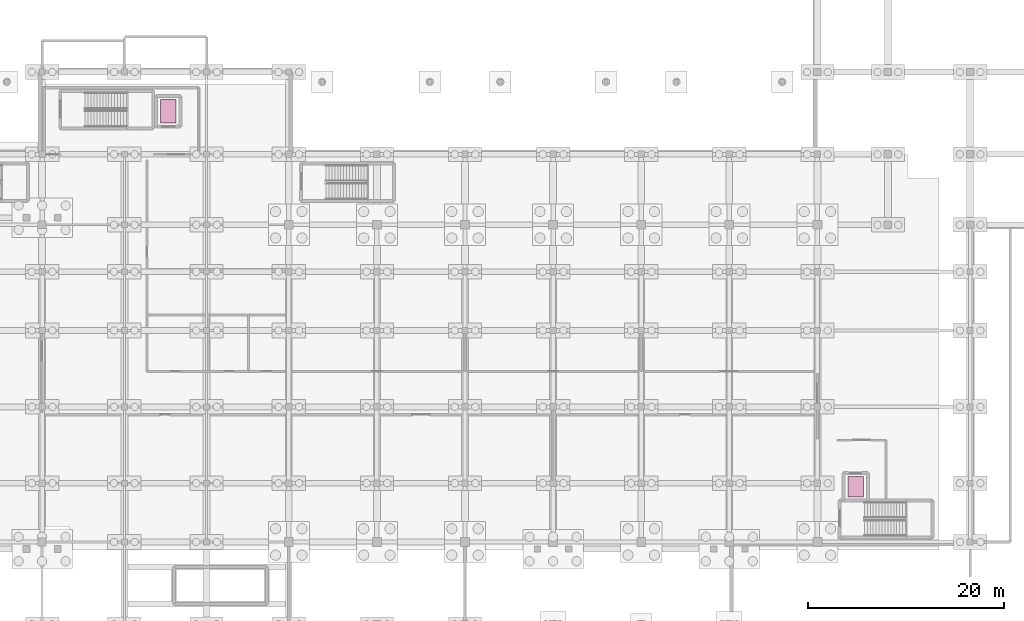
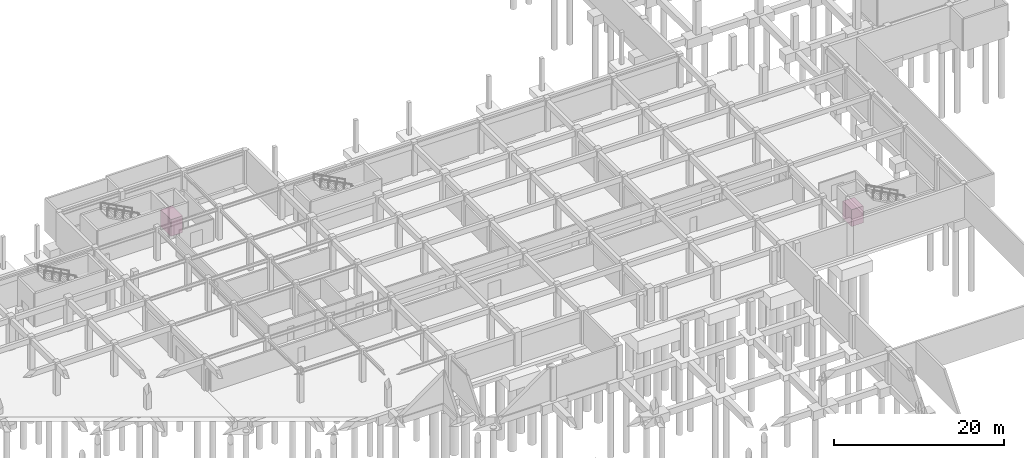
# One storey, part 26 of 26: 2 transport elements.
"""IFC4 building model written with IfcOpenShell, lengths in metres."""

from ifc_helpers import new_model, si_unit, direction, frame, origin, origin_2d, place, context, subcontext, project, spatial, rectangle, extrude, material, type_object, element, save


model = new_model("IFC4")

# Units and contexts
model_context = context("Model", 3, precision=1e-05, world=origin(), true_north=direction((0.0, 1.0)))
body_context = subcontext(model_context, "Body", "Model", "MODEL_VIEW")
ifc_project = project(units=[si_unit("LENGTHUNIT", "METRE"), si_unit("AREAUNIT", "SQUARE_METRE"), si_unit("VOLUMEUNIT", "CUBIC_METRE"), si_unit("PLANEANGLEUNIT", "RADIAN"), si_unit("MASSUNIT", "GRAM", prefix="KILO")], contexts=[model_context])

# Site, building, storey
site_placement = place(None, origin())
site = spatial("IfcSite", under=ifc_project, at=site_placement, CompositionType="ELEMENT")
building_placement = place(site_placement, origin())
building = spatial("IfcBuilding", under=site, at=building_placement, Name="Tizgana Railside Sports Hall", CompositionType="ELEMENT")
storey_placement = place(building_placement, frame((0.0, 0.0, -4.800048828125)))
storey = spatial("IfcBuildingStorey", under=building, at=storey_placement, Name="B1", CompositionType="ELEMENT", Elevation=-4.800048828125)

# Transport elements
ifc_material = material(Name="Brushed stainless steel", Category="steel")
transport_element_type_1 = type_object("IfcTransportElementType", Name="Accessible Passenger Lift 1600kg", PredefinedType="ELEVATOR", material=ifc_material)
transport_element_1_placement = place(storey_placement, frame((137.699951171875, 46.449951171875, 0.0), z_axis=(0.0, 0.0, 1.0), x_axis=(1.0, 0.0, 0.0)))
element("IfcTransportElement", 1, at=transport_element_1_placement, inside=storey, type_object=transport_element_type_1, Name="Passenger Lift LP-03", PredefinedType="ELEVATOR", context=body_context, shape_type="SweptSolid", body=[
    extrude(rectangle(XDim=1.60009765625, YDim=2.10009765625, at=origin_2d()), origin(), (0.0, 0.0, 1.0), 2.39990234375),
])
transport_element_type_2 = type_object("IfcTransportElementType", Name="Firefighters Stretcher Lift 2000kg", PredefinedType="ELEVATOR", material=ifc_material)
transport_element_2_placement = place(storey_placement, frame((67.5, 84.800048828125, 0.0), z_axis=(0.0, 0.0, 1.0), x_axis=(1.0, 0.0, 0.0)))
element("IfcTransportElement", 2, at=transport_element_2_placement, inside=storey, type_object=transport_element_type_2, Name="Firefighters Lift LF-02", PredefinedType="ELEVATOR", context=body_context, shape_type="SweptSolid", body=[
    extrude(rectangle(XDim=1.60009765625, YDim=2.39990234375, at=origin_2d()), origin(), (0.0, 0.0, 1.0), 2.39990234375),
])

save(model, "model.ifc")
